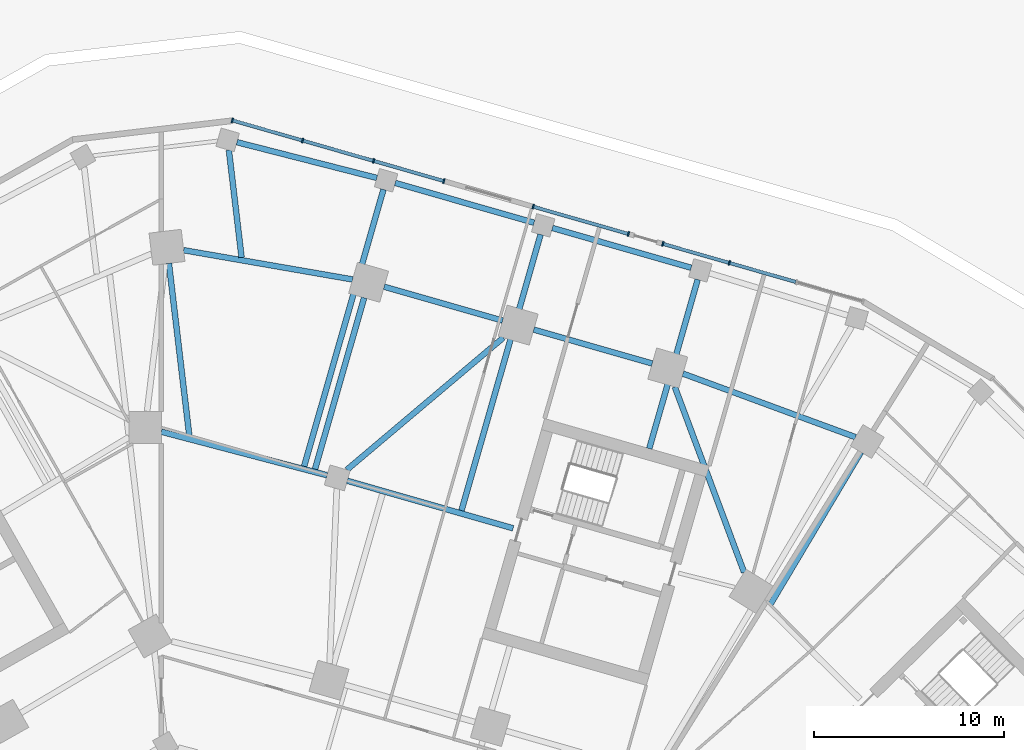
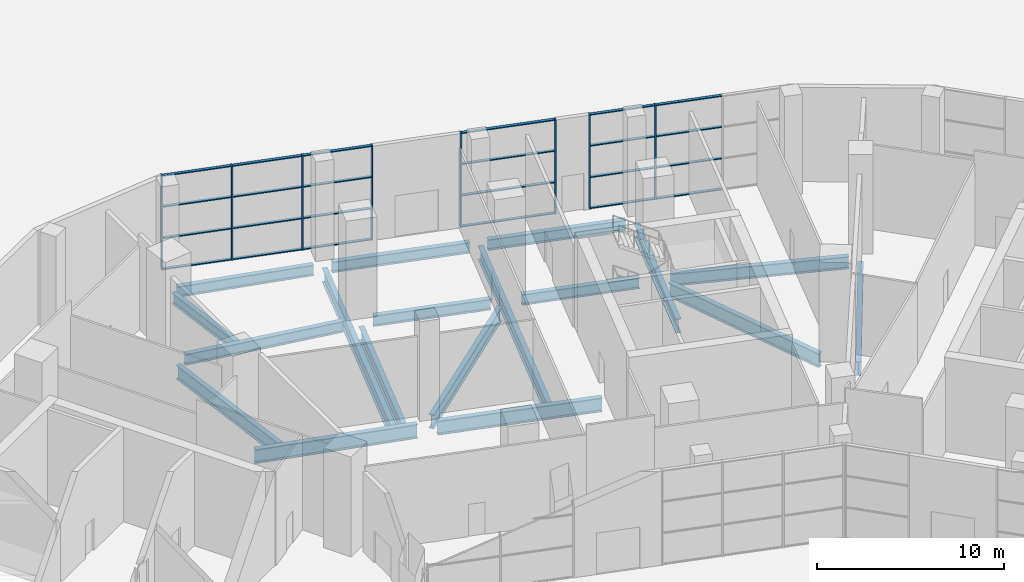
# One storey, part 8 of 22: 32 members, 18 beams, 3 elements without a shape of their own.
"""IFC4 building model written with IfcOpenShell, lengths in metres."""

from ifc_helpers import new_model, si_unit, direction, frame, origin, origin_2d, place, context, subcontext, project, spatial, rectangle, i_section, extrude, material, material_profile, profile_set, type_object, element, aggregate, save


model = new_model("IFC4")

# Units and contexts
model_context = context("Model", 3, precision=1e-05, world=origin(), true_north=direction((0.0, 1.0)))
body_context = subcontext(model_context, "Body", "Model", "MODEL_VIEW")
ifc_project = project(units=[si_unit("LENGTHUNIT", "METRE"), si_unit("AREAUNIT", "SQUARE_METRE"), si_unit("VOLUMEUNIT", "CUBIC_METRE"), si_unit("PLANEANGLEUNIT", "RADIAN"), si_unit("MASSUNIT", "GRAM", prefix="KILO")], contexts=[model_context])

# Site, building, storey
site_placement = place(None, origin())
site = spatial("IfcSite", under=ifc_project, at=site_placement, CompositionType="ELEMENT")
building_placement = place(site_placement, origin())
building = spatial("IfcBuilding", under=site, at=building_placement, Name="Binnacle Exchange Tower", CompositionType="ELEMENT")
storey_placement = place(building_placement, origin())
storey = spatial("IfcBuildingStorey", under=building, at=storey_placement, Name="L00", CompositionType="ELEMENT", Elevation=0.0)

# Curtain wall, members
ifc_material_1 = material(Name="Bronze anodised aluminium frame", Category="aluminium")
curtain_wall_type = type_object("IfcCurtainWallType", Name="External wall - curtain wall north entrance", PredefinedType="NOTDEFINED", material=ifc_material_1)
curtain_wall_1_placement = place(storey_placement, origin())
curtain_wall_1 = element("IfcCurtainWall", 1, at=curtain_wall_1_placement, inside=storey, type_object=curtain_wall_type, Name="External wall curtain wall CW2-P00-1 L00", PredefinedType="NOTDEFINED")
ifc_material_profile_1 = material_profile(ifc_material_1, rectangle(XDim=0.25, YDim=0.080078125, at=origin_2d()), Name="AL 80x250")
ifc_profile_set_1 = profile_set([ifc_material_profile_1], Name="Bronze anodised aluminium frame")
member_type_1 = type_object("IfcMemberType", Name="CW2 MULLION 80x250", PredefinedType="MULLION", material=ifc_profile_set_1)
member_1_placement = place(storey_placement, frame((29.837646484375, 68.645751953125, 0.0), z_axis=(0.0, 0.0, 1.0), x_axis=(-0.275636946471, -0.961261813316, 0.0)))
member_1 = element("IfcMember", 2, at=member_1_placement, type_object=member_type_1, Name="CW2-P00-1 mullion 3", PredefinedType="MULLION", context=body_context, shape_type="SweptSolid", body=[
    extrude(rectangle(XDim=0.25, YDim=0.080078125, at=origin_2d()), origin(), (0.0, 0.0, 1.0), 6.14990234375),
])
member_2_placement = place(storey_placement, frame((26.344970703125, 69.647216796875, 0.0), z_axis=(0.0, 0.0, 1.0), x_axis=(-0.275636946471, -0.961261813316, 0.0)))
member_2 = element("IfcMember", 3, at=member_2_placement, type_object=member_type_1, Name="CW2-P00-1 mullion 4", PredefinedType="MULLION", context=body_context, shape_type="SweptSolid", body=[
    extrude(rectangle(XDim=0.25, YDim=0.080078125, at=origin_2d()), origin(), (0.0, 0.0, 1.0), 6.14990234375),
])

curtain_wall_2_placement = place(storey_placement, origin())
curtain_wall_2 = element("IfcCurtainWall", 4, at=curtain_wall_2_placement, inside=storey, type_object=curtain_wall_type, Name="External wall curtain wall CW2-P00-2 L00", PredefinedType="NOTDEFINED")
member_3_placement = place(storey_placement, frame((24.537841796875, 70.165283203125, 0.0), z_axis=(0.0, 0.0, 1.0), x_axis=(-0.27563694637, -0.961261813345, 0.0)))
member_3 = element("IfcMember", 5, at=member_3_placement, type_object=member_type_1, Name="CW2-P00-2 mullion 1", PredefinedType="MULLION", context=body_context, shape_type="SweptSolid", body=[
    extrude(rectangle(XDim=0.25, YDim=0.080078125, at=origin_2d()), origin(), (0.0, 0.0, 1.0), 6.14990234375),
])
member_4_placement = place(storey_placement, frame((19.533203125, 71.600341796875, 0.0), z_axis=(0.0, 0.0, 1.0), x_axis=(-0.27563694637, -0.961261813345, 0.0)))
member_4 = element("IfcMember", 6, at=member_4_placement, type_object=member_type_1, Name="CW2-P00-2 mullion 2", PredefinedType="MULLION", context=body_context, shape_type="SweptSolid", body=[
    extrude(rectangle(XDim=0.25, YDim=0.080078125, at=origin_2d()), origin(), (0.0, 0.0, 1.0), 6.14990234375),
])

curtain_wall_3_placement = place(storey_placement, origin())
curtain_wall_3 = element("IfcCurtainWall", 7, at=curtain_wall_3_placement, inside=storey, type_object=curtain_wall_type, Name="External wall curtain wall CW2-P00-3 L00", PredefinedType="NOTDEFINED")
member_5_placement = place(storey_placement, frame((14.84228515625, 72.945556640625, 0.0), z_axis=(0.0, 0.0, 1.0), x_axis=(-0.275636946504, -0.961261813307, 0.0)))
member_5 = element("IfcMember", 8, at=member_5_placement, type_object=member_type_1, Name="CW2-P00-3 mullion 1", PredefinedType="MULLION", context=body_context, shape_type="SweptSolid", body=[
    extrude(rectangle(XDim=0.25, YDim=0.080078125, at=origin_2d()), origin(), (0.0, 0.0, 1.0), 6.14990234375),
])
member_6_placement = place(storey_placement, frame((11.150146484375, 74.004150390625, 0.0), z_axis=(0.0, 0.0, 1.0), x_axis=(-0.275636946504, -0.961261813307, 0.0)))
member_6 = element("IfcMember", 9, at=member_6_placement, type_object=member_type_1, Name="CW2-P00-3 mullion 2", PredefinedType="MULLION", context=body_context, shape_type="SweptSolid", body=[
    extrude(rectangle(XDim=0.25, YDim=0.080078125, at=origin_2d()), origin(), (0.0, 0.0, 1.0), 6.14990234375),
])
member_7_placement = place(storey_placement, frame((7.419677734375, 75.073974609375, 0.0), z_axis=(0.0, 0.0, 1.0), x_axis=(-0.275636946504, -0.961261813307, 0.0)))
member_7 = element("IfcMember", 10, at=member_7_placement, type_object=member_type_1, Name="CW2-P00-3 mullion 3", PredefinedType="MULLION", context=body_context, shape_type="SweptSolid", body=[
    extrude(rectangle(XDim=0.25, YDim=0.080078125, at=origin_2d()), origin(), (0.0, 0.0, 1.0), 6.14990234375),
])
member_8_placement = place(storey_placement, frame((3.727783203125, 76.132568359375, 0.0), z_axis=(0.0, 0.0, 1.0), x_axis=(-0.275636946504, -0.961261813307, 0.0)))
member_8 = element("IfcMember", 11, at=member_8_placement, type_object=member_type_1, Name="CW2-P00-3 mullion 4", PredefinedType="MULLION", context=body_context, shape_type="SweptSolid", body=[
    extrude(rectangle(XDim=0.25, YDim=0.080078125, at=origin_2d()), origin(), (0.0, 0.0, 1.0), 6.14990234375),
])

# Member
ifc_material_profile_2 = material_profile(ifc_material_1, rectangle(XDim=0.179931640625, YDim=0.06005859375, at=origin_2d()), Name="AL 180x60")
ifc_profile_set_2 = profile_set([ifc_material_profile_2], Name="Bronze anodised aluminium frame")
member_type_2 = type_object("IfcMemberType", Name="CW2 TRANSOM 60x180", PredefinedType="USERDEFINED", material=ifc_profile_set_2)
member_9_placement = place(storey_placement, frame((33.330322265625, 67.64404296875, 0.030029296875), z_axis=(-0.961241418173, 0.275708062973, 0.0), x_axis=(-0.275708062973, -0.961241418173, 0.0)))
member_9 = element("IfcMember", 12, at=member_9_placement, type_object=member_type_2, Name="CW2-P00-1 transom 2.1", ObjectType="TRANSOM", PredefinedType="USERDEFINED", context=body_context, shape_type="SweptSolid", body=[
    extrude(rectangle(XDim=0.179931640625, YDim=0.06005859375, at=origin_2d()), origin(), (0.0, 0.0, 1.0), 3.59326171875),
])

member_10_placement = place(storey_placement, frame((33.330322265625, 67.64404296875, 2.050048828125), z_axis=(-0.961241418173, 0.275708062973, 0.0), x_axis=(-0.275708062973, -0.961241418173, 0.0)))
member_10 = element("IfcMember", 13, at=member_10_placement, type_object=member_type_2, Name="CW2-P00-1 transom 2.2", ObjectType="TRANSOM", PredefinedType="USERDEFINED", context=body_context, shape_type="SweptSolid", body=[
    extrude(rectangle(XDim=0.179931640625, YDim=0.06005859375, at=origin_2d()), origin(), (0.0, 0.0, 1.0), 3.59326171875),
])

member_11_placement = place(storey_placement, frame((33.330322265625, 67.64404296875, 4.10009765625), z_axis=(-0.961241418173, 0.275708062973, 0.0), x_axis=(-0.275708062973, -0.961241418173, 0.0)))
member_11 = element("IfcMember", 14, at=member_11_placement, type_object=member_type_2, Name="CW2-P00-1 transom 2.3", ObjectType="TRANSOM", PredefinedType="USERDEFINED", context=body_context, shape_type="SweptSolid", body=[
    extrude(rectangle(XDim=0.179931640625, YDim=0.06005859375, at=origin_2d()), origin(), (0.0, 0.0, 1.0), 3.59326171875),
])

member_12_placement = place(storey_placement, frame((33.330322265625, 67.64404296875, 6.1201171875), z_axis=(-0.961241418173, 0.275708062973, 0.0), x_axis=(-0.275708062973, -0.961241418173, 0.0)))
member_12 = element("IfcMember", 15, at=member_12_placement, type_object=member_type_2, Name="CW2-P00-1 transom 2.4", ObjectType="TRANSOM", PredefinedType="USERDEFINED", context=body_context, shape_type="SweptSolid", body=[
    extrude(rectangle(XDim=0.179931640625, YDim=0.06005859375, at=origin_2d()), origin(), (0.0, 0.0, 1.0), 3.59326171875),
])

member_13_placement = place(storey_placement, frame((29.79931640625, 68.65673828125, 0.030029296875), z_axis=(-0.961264270482, 0.275628377157, 0.0), x_axis=(-0.275628377157, -0.961264270482, 0.0)))
member_13 = element("IfcMember", 16, at=member_13_placement, type_object=member_type_2, Name="CW2-P00-1 transom 3.1", ObjectType="TRANSOM", PredefinedType="USERDEFINED", context=body_context, shape_type="SweptSolid", body=[
    extrude(rectangle(XDim=0.179931640625, YDim=0.06005859375, at=origin_2d()), origin(), (0.0, 0.0, 1.0), 3.5537109375),
])

member_14_placement = place(storey_placement, frame((29.79931640625, 68.65673828125, 2.050048828125), z_axis=(-0.961264270482, 0.275628377157, 0.0), x_axis=(-0.275628377157, -0.961264270482, 0.0)))
member_14 = element("IfcMember", 17, at=member_14_placement, type_object=member_type_2, Name="CW2-P00-1 transom 3.2", ObjectType="TRANSOM", PredefinedType="USERDEFINED", context=body_context, shape_type="SweptSolid", body=[
    extrude(rectangle(XDim=0.179931640625, YDim=0.06005859375, at=origin_2d()), origin(), (0.0, 0.0, 1.0), 3.5537109375),
])

member_15_placement = place(storey_placement, frame((29.79931640625, 68.65673828125, 4.10009765625), z_axis=(-0.961264270482, 0.275628377157, 0.0), x_axis=(-0.275628377157, -0.961264270482, 0.0)))
member_15 = element("IfcMember", 18, at=member_15_placement, type_object=member_type_2, Name="CW2-P00-1 transom 3.3", ObjectType="TRANSOM", PredefinedType="USERDEFINED", context=body_context, shape_type="SweptSolid", body=[
    extrude(rectangle(XDim=0.179931640625, YDim=0.06005859375, at=origin_2d()), origin(), (0.0, 0.0, 1.0), 3.5537109375),
])

member_16_placement = place(storey_placement, frame((29.79931640625, 68.65673828125, 6.1201171875), z_axis=(-0.961264270482, 0.275628377157, 0.0), x_axis=(-0.275628377157, -0.961264270482, 0.0)))
member_16 = element("IfcMember", 19, at=member_16_placement, type_object=member_type_2, Name="CW2-P00-1 transom 3.4", ObjectType="TRANSOM", PredefinedType="USERDEFINED", context=body_context, shape_type="SweptSolid", body=[
    extrude(rectangle(XDim=0.179931640625, YDim=0.06005859375, at=origin_2d()), origin(), (0.0, 0.0, 1.0), 3.5537109375),
])

aggregate(curtain_wall_1, [member_1, member_2, member_9, member_10, member_11, member_12, member_13, member_14, member_15, member_16])

member_17_placement = place(storey_placement, frame((24.499267578125, 70.176513671875, 0.030029296875), z_axis=(-0.961266517916, 0.275620539027, 0.0), x_axis=(-0.275620539027, -0.961266517916, 0.0)))
member_17 = element("IfcMember", 20, at=member_17_placement, type_object=member_type_2, Name="CW2-P00-2 transom 1.1", ObjectType="TRANSOM", PredefinedType="USERDEFINED", context=body_context, shape_type="SweptSolid", body=[
    extrude(rectangle(XDim=0.179931640625, YDim=0.06005859375, at=origin_2d()), origin(), (0.0, 0.0, 1.0), 5.1259765625),
])

member_18_placement = place(storey_placement, frame((24.499267578125, 70.176513671875, 2.050048828125), z_axis=(-0.961266517916, 0.275620539027, 0.0), x_axis=(-0.275620539027, -0.961266517916, 0.0)))
member_18 = element("IfcMember", 21, at=member_18_placement, type_object=member_type_2, Name="CW2-P00-2 transom 1.2", ObjectType="TRANSOM", PredefinedType="USERDEFINED", context=body_context, shape_type="SweptSolid", body=[
    extrude(rectangle(XDim=0.179931640625, YDim=0.06005859375, at=origin_2d()), origin(), (0.0, 0.0, 1.0), 5.1259765625),
])

member_19_placement = place(storey_placement, frame((24.499267578125, 70.176513671875, 4.10009765625), z_axis=(-0.961266517916, 0.275620539027, 0.0), x_axis=(-0.275620539027, -0.961266517916, 0.0)))
member_19 = element("IfcMember", 22, at=member_19_placement, type_object=member_type_2, Name="CW2-P00-2 transom 1.3", ObjectType="TRANSOM", PredefinedType="USERDEFINED", context=body_context, shape_type="SweptSolid", body=[
    extrude(rectangle(XDim=0.179931640625, YDim=0.06005859375, at=origin_2d()), origin(), (0.0, 0.0, 1.0), 5.1259765625),
])

member_20_placement = place(storey_placement, frame((24.499267578125, 70.176513671875, 6.1201171875), z_axis=(-0.961266517916, 0.275620539027, 0.0), x_axis=(-0.275620539027, -0.961266517916, 0.0)))
member_20 = element("IfcMember", 23, at=member_20_placement, type_object=member_type_2, Name="CW2-P00-2 transom 1.4", ObjectType="TRANSOM", PredefinedType="USERDEFINED", context=body_context, shape_type="SweptSolid", body=[
    extrude(rectangle(XDim=0.179931640625, YDim=0.06005859375, at=origin_2d()), origin(), (0.0, 0.0, 1.0), 5.1259765625),
])

aggregate(curtain_wall_2, [member_3, member_4, member_17, member_18, member_19, member_20])

member_21_placement = place(storey_placement, frame((14.8037109375, 72.95654296875, 0.030029296875), z_axis=(-0.961258925276, 0.275647018081, 0.0), x_axis=(-0.275647018081, -0.961258925276, 0.0)))
member_21 = element("IfcMember", 24, at=member_21_placement, type_object=member_type_2, Name="CW2-P00-3 transom 1.1", ObjectType="TRANSOM", PredefinedType="USERDEFINED", context=body_context, shape_type="SweptSolid", body=[
    extrude(rectangle(XDim=0.179931640625, YDim=0.06005859375, at=origin_2d()), origin(), (0.0, 0.0, 1.0), 3.7607421875),
])

member_22_placement = place(storey_placement, frame((14.8037109375, 72.95654296875, 2.050048828125), z_axis=(-0.961258925276, 0.275647018081, 0.0), x_axis=(-0.275647018081, -0.961258925276, 0.0)))
member_22 = element("IfcMember", 25, at=member_22_placement, type_object=member_type_2, Name="CW2-P00-3 transom 1.2", ObjectType="TRANSOM", PredefinedType="USERDEFINED", context=body_context, shape_type="SweptSolid", body=[
    extrude(rectangle(XDim=0.179931640625, YDim=0.06005859375, at=origin_2d()), origin(), (0.0, 0.0, 1.0), 3.7607421875),
])

member_23_placement = place(storey_placement, frame((14.8037109375, 72.95654296875, 4.10009765625), z_axis=(-0.961258925276, 0.275647018081, 0.0), x_axis=(-0.275647018081, -0.961258925276, 0.0)))
member_23 = element("IfcMember", 26, at=member_23_placement, type_object=member_type_2, Name="CW2-P00-3 transom 1.3", ObjectType="TRANSOM", PredefinedType="USERDEFINED", context=body_context, shape_type="SweptSolid", body=[
    extrude(rectangle(XDim=0.179931640625, YDim=0.06005859375, at=origin_2d()), origin(), (0.0, 0.0, 1.0), 3.7607421875),
])

member_24_placement = place(storey_placement, frame((14.8037109375, 72.95654296875, 6.1201171875), z_axis=(-0.961258925276, 0.275647018081, 0.0), x_axis=(-0.275647018081, -0.961258925276, 0.0)))
member_24 = element("IfcMember", 27, at=member_24_placement, type_object=member_type_2, Name="CW2-P00-3 transom 1.4", ObjectType="TRANSOM", PredefinedType="USERDEFINED", context=body_context, shape_type="SweptSolid", body=[
    extrude(rectangle(XDim=0.179931640625, YDim=0.06005859375, at=origin_2d()), origin(), (0.0, 0.0, 1.0), 3.7607421875),
])

member_25_placement = place(storey_placement, frame((11.11181640625, 74.01513671875, 0.030029296875), z_axis=(-0.96126415858, 0.275628767422, 0.0), x_axis=(-0.275628767422, -0.96126415858, 0.0)))
member_25 = element("IfcMember", 28, at=member_25_placement, type_object=member_type_2, Name="CW2-P00-3 transom 2.1", ObjectType="TRANSOM", PredefinedType="USERDEFINED", context=body_context, shape_type="SweptSolid", body=[
    extrude(rectangle(XDim=0.179931640625, YDim=0.06005859375, at=origin_2d()), origin(), (0.0, 0.0, 1.0), 3.80078125),
])

member_26_placement = place(storey_placement, frame((11.11181640625, 74.01513671875, 2.050048828125), z_axis=(-0.96126415858, 0.275628767422, 0.0), x_axis=(-0.275628767422, -0.96126415858, 0.0)))
member_26 = element("IfcMember", 29, at=member_26_placement, type_object=member_type_2, Name="CW2-P00-3 transom 2.2", ObjectType="TRANSOM", PredefinedType="USERDEFINED", context=body_context, shape_type="SweptSolid", body=[
    extrude(rectangle(XDim=0.179931640625, YDim=0.06005859375, at=origin_2d()), origin(), (0.0, 0.0, 1.0), 3.80078125),
])

member_27_placement = place(storey_placement, frame((11.11181640625, 74.01513671875, 4.10009765625), z_axis=(-0.96126415858, 0.275628767422, 0.0), x_axis=(-0.275628767422, -0.96126415858, 0.0)))
member_27 = element("IfcMember", 30, at=member_27_placement, type_object=member_type_2, Name="CW2-P00-3 transom 2.3", ObjectType="TRANSOM", PredefinedType="USERDEFINED", context=body_context, shape_type="SweptSolid", body=[
    extrude(rectangle(XDim=0.179931640625, YDim=0.06005859375, at=origin_2d()), origin(), (0.0, 0.0, 1.0), 3.80078125),
])

member_28_placement = place(storey_placement, frame((11.11181640625, 74.01513671875, 6.1201171875), z_axis=(-0.96126415858, 0.275628767422, 0.0), x_axis=(-0.275628767422, -0.96126415858, 0.0)))
member_28 = element("IfcMember", 31, at=member_28_placement, type_object=member_type_2, Name="CW2-P00-3 transom 2.4", ObjectType="TRANSOM", PredefinedType="USERDEFINED", context=body_context, shape_type="SweptSolid", body=[
    extrude(rectangle(XDim=0.179931640625, YDim=0.06005859375, at=origin_2d()), origin(), (0.0, 0.0, 1.0), 3.80078125),
])

member_29_placement = place(storey_placement, frame((7.38134765625, 75.0849609375, 0.030029296875), z_axis=(-0.961258925276, 0.275647018081, 0.0), x_axis=(-0.275647018081, -0.961258925276, 0.0)))
member_29 = element("IfcMember", 32, at=member_29_placement, type_object=member_type_2, Name="CW2-P00-3 transom 3.1", ObjectType="TRANSOM", PredefinedType="USERDEFINED", context=body_context, shape_type="SweptSolid", body=[
    extrude(rectangle(XDim=0.179931640625, YDim=0.06005859375, at=origin_2d()), origin(), (0.0, 0.0, 1.0), 3.7607421875),
])

member_30_placement = place(storey_placement, frame((7.38134765625, 75.0849609375, 2.050048828125), z_axis=(-0.961258925276, 0.275647018081, 0.0), x_axis=(-0.275647018081, -0.961258925276, 0.0)))
member_30 = element("IfcMember", 33, at=member_30_placement, type_object=member_type_2, Name="CW2-P00-3 transom 3.2", ObjectType="TRANSOM", PredefinedType="USERDEFINED", context=body_context, shape_type="SweptSolid", body=[
    extrude(rectangle(XDim=0.179931640625, YDim=0.06005859375, at=origin_2d()), origin(), (0.0, 0.0, 1.0), 3.7607421875),
])

member_31_placement = place(storey_placement, frame((7.38134765625, 75.0849609375, 4.10009765625), z_axis=(-0.961258925276, 0.275647018081, 0.0), x_axis=(-0.275647018081, -0.961258925276, 0.0)))
member_31 = element("IfcMember", 34, at=member_31_placement, type_object=member_type_2, Name="CW2-P00-3 transom 3.3", ObjectType="TRANSOM", PredefinedType="USERDEFINED", context=body_context, shape_type="SweptSolid", body=[
    extrude(rectangle(XDim=0.179931640625, YDim=0.06005859375, at=origin_2d()), origin(), (0.0, 0.0, 1.0), 3.7607421875),
])

member_32_placement = place(storey_placement, frame((7.38134765625, 75.0849609375, 6.1201171875), z_axis=(-0.961258925276, 0.275647018081, 0.0), x_axis=(-0.275647018081, -0.961258925276, 0.0)))
member_32 = element("IfcMember", 35, at=member_32_placement, type_object=member_type_2, Name="CW2-P00-3 transom 3.4", ObjectType="TRANSOM", PredefinedType="USERDEFINED", context=body_context, shape_type="SweptSolid", body=[
    extrude(rectangle(XDim=0.179931640625, YDim=0.06005859375, at=origin_2d()), origin(), (0.0, 0.0, 1.0), 3.7607421875),
])

aggregate(curtain_wall_3, [member_5, member_6, member_7, member_8, member_21, member_22, member_23, member_24, member_25, member_26, member_27, member_28, member_29, member_30, member_31, member_32])

# Beams
ifc_material_2 = material(Name="Steel S355 (SHN355)", Category="steel")
ifc_material_profile_3 = material_profile(ifc_material_2, i_section(OverallWidth=0.300048828125, OverallDepth=0.699951171875, WebThickness=0.012939453125, FlangeThickness=0.02392578125, FilletRadius=0.028076171875, at=origin_2d()), Name="H 700x300x13x24")
ifc_profile_set_3 = profile_set([ifc_material_profile_3], Name="Steel S355 (SHN355)")
beam_type_1 = type_object("IfcBeamType", Name="Edge girder H 700x300x13x24 Steel S355 (SHN355)", PredefinedType="SPANDREL", material=ifc_profile_set_3)
beam_1_placement = place(storey_placement, frame((3.970703125, 74.985595703125, -0.800048828125), z_axis=(0.96888078872, -0.247527811062, 0.0), x_axis=(0.247527811062, 0.96888078872, 0.0)))
element("IfcBeam", 36, at=beam_1_placement, inside=storey, type_object=beam_type_1, Name="S:BM:edge:L00:046", PredefinedType="SPANDREL", context=body_context, shape_type="SweptSolid", body=[
    extrude(i_section(OverallWidth=0.300048828125, OverallDepth=0.699951171875, WebThickness=0.012939453125, FlangeThickness=0.02392578125, FilletRadius=0.028076171875, at=origin_2d()), origin(), (0.0, 0.0, 1.0), 7.589599609375),
])
beam_2_placement = place(storey_placement, frame((12.289306640625, 72.84521484375, -0.800048828125), z_axis=(0.961270944274, -0.275605100996, 0.0), x_axis=(0.275605100996, 0.961270944274, 0.0)))
element("IfcBeam", 37, at=beam_2_placement, inside=storey, type_object=beam_type_1, Name="S:BM:edge:L00:050", PredefinedType="SPANDREL", context=body_context, shape_type="SweptSolid", body=[
    extrude(i_section(OverallWidth=0.300048828125, OverallDepth=0.699951171875, WebThickness=0.012939453125, FlangeThickness=0.02392578125, FilletRadius=0.028076171875, at=origin_2d()), origin(), (0.0, 0.0, 1.0), 7.586181640625),
])
beam_3_placement = place(storey_placement, frame((17.92919921875, 65.610595703125, -0.800048828125), z_axis=(-0.961261624999, 0.275637603213, 0.0), x_axis=(-0.275637603213, -0.961261624999, 0.0)))
element("IfcBeam", 38, at=beam_3_placement, inside=storey, type_object=beam_type_1, Name="S:BM:edge:L00:052", PredefinedType="SPANDREL", context=body_context, shape_type="SweptSolid", body=[
    extrude(i_section(OverallWidth=0.300048828125, OverallDepth=0.699951171875, WebThickness=0.012939453125, FlangeThickness=0.02392578125, FilletRadius=0.028076171875, at=origin_2d()), origin(), (0.0, 0.0, 1.0), 6.472900390625),
])
beam_4_placement = place(storey_placement, frame((20.54296875, 70.478759765625, -0.800048828125), z_axis=(0.961262417922, -0.275634837948, 0.0), x_axis=(0.275634837948, 0.961262417922, 0.0)))
element("IfcBeam", 39, at=beam_4_placement, inside=storey, type_object=beam_type_1, Name="S:BM:edge:L00:054", PredefinedType="SPANDREL", context=body_context, shape_type="SweptSolid", body=[
    extrude(i_section(OverallWidth=0.300048828125, OverallDepth=0.699951171875, WebThickness=0.012939453125, FlangeThickness=0.02392578125, FilletRadius=0.028076171875, at=origin_2d()), origin(), (0.0, 0.0, 1.0), 7.58642578125),
])
beam_5_placement = place(storey_placement, frame((25.78564453125, 63.35791015625, -0.800048828125), z_axis=(-0.961271618025, 0.275602751036, 0.0), x_axis=(-0.275602751036, -0.961271618025, 0.0)))
element("IfcBeam", 40, at=beam_5_placement, inside=storey, type_object=beam_type_1, Name="S:BM:edge:L00:056", PredefinedType="SPANDREL", context=body_context, shape_type="SweptSolid", body=[
    extrude(i_section(OverallWidth=0.300048828125, OverallDepth=0.699951171875, WebThickness=0.012939453125, FlangeThickness=0.02392578125, FilletRadius=0.028076171875, at=origin_2d()), origin(), (0.0, 0.0, 1.0), 6.472900390625),
])
ifc_material_profile_4 = material_profile(ifc_material_2, i_section(OverallWidth=0.302001953125, OverallDepth=0.7080078125, WebThickness=0.014892578125, FlangeThickness=0.028076171875, FilletRadius=0.028076171875, at=origin_2d()), Name="H 708x302x15x28")
ifc_profile_set_4 = profile_set([ifc_material_profile_4], Name="Steel S355 (SHN355)")
beam_type_2 = type_object("IfcBeamType", Name="Edge girder H 708x302x15x28 Steel S355 (SHN355)", PredefinedType="SPANDREL", material=ifc_profile_set_4)
beam_6_placement = place(storey_placement, frame((10.047607421875, 67.77490234375, -0.803955078125), z_axis=(-0.985312460293, 0.17076110679, 0.0), x_axis=(-0.17076110679, -0.985312460293, 0.0)))
element("IfcBeam", 41, at=beam_6_placement, inside=storey, type_object=beam_type_2, Name="S:BM:edge:L00:049", PredefinedType="SPANDREL", context=body_context, shape_type="SweptSolid", body=[
    extrude(i_section(OverallWidth=0.302001953125, OverallDepth=0.7080078125, WebThickness=0.014892578125, FlangeThickness=0.028076171875, FilletRadius=0.028076171875, at=origin_2d()), origin(), (0.0, 0.0, 1.0), 9.005859375),
])
ifc_material_profile_5 = material_profile(ifc_material_2, i_section(OverallWidth=0.300048828125, OverallDepth=0.800048828125, WebThickness=0.013916015625, FlangeThickness=0.02587890625, FilletRadius=0.028076171875, at=origin_2d()), Name="H 800x300x14x26")
ifc_profile_set_5 = profile_set([ifc_material_profile_5], Name="Steel S355 (SHN355)")
beam_type_3 = type_object("IfcBeamType", Name="Edge girder H 800x300x14x26 Steel S355 (SHN355)", PredefinedType="SPANDREL", material=ifc_profile_set_5)
beam_7_placement = place(storey_placement, frame((36.464599609375, 59.490966796875, -0.85009765625), z_axis=(-0.938368148393, 0.345637408395, 0.0), x_axis=(-0.345637408395, -0.938368148393, 0.0)))
element("IfcBeam", 42, at=beam_7_placement, inside=storey, type_object=beam_type_3, Name="S:BM:edge:L00:061", PredefinedType="SPANDREL", context=body_context, shape_type="SweptSolid", body=[
    extrude(i_section(OverallWidth=0.300048828125, OverallDepth=0.800048828125, WebThickness=0.013916015625, FlangeThickness=0.02587890625, FilletRadius=0.028076171875, at=origin_2d()), origin(), (0.0, 0.0, 1.0), 9.6572265625),
])
ifc_material_profile_6 = material_profile(ifc_material_2, i_section(OverallWidth=0.300048828125, OverallDepth=0.699951171875, WebThickness=0.012939453125, FlangeThickness=0.02392578125, FilletRadius=0.028076171875, at=origin_2d()), Name="H 700x300x13x24")
ifc_profile_set_6 = profile_set([ifc_material_profile_6], Name="Steel S355 (SHN355)")
beam_type_4 = type_object("IfcBeamType", Name="Floor beam H 700x300x13x24 Steel S355 (SHN355)", PredefinedType="BEAM", material=ifc_profile_set_6)
beam_8_placement = place(storey_placement, frame((3.5498046875, 74.571044921875, -0.800048828125), z_axis=(0.117529616855, -0.993069377819, 0.0), x_axis=(0.993069377819, 0.117529616855, 0.0)))
element("IfcBeam", 43, at=beam_8_placement, inside=storey, type_object=beam_type_4, Name="S:BM:cross:L00:104", PredefinedType="BEAM", context=body_context, shape_type="SweptSolid", body=[
    extrude(i_section(OverallWidth=0.300048828125, OverallDepth=0.699951171875, WebThickness=0.012939453125, FlangeThickness=0.02392578125, FilletRadius=0.028076171875, at=origin_2d()), origin(), (0.0, 0.0, 1.0), 5.67919921875),
])
ifc_material_profile_7 = material_profile(ifc_material_2, i_section(OverallWidth=0.302001953125, OverallDepth=0.912109375, WebThickness=0.01806640625, FlangeThickness=0.033935546875, FilletRadius=0.028076171875, at=origin_2d()), Name="H 912x302x18x34")
ifc_profile_set_7 = profile_set([ifc_material_profile_7], Name="Steel S355 (SHN355)")
beam_type_5 = type_object("IfcBeamType", Name="Floor beam H 912x302x18x34 Steel S355 (SHN355)", PredefinedType="BEAM", material=ifc_profile_set_7)
beam_9_placement = place(storey_placement, frame((0.39990234375, 68.6201171875, -0.906005859375), z_axis=(0.117562643201, -0.993065468599, 0.0), x_axis=(0.993065468599, 0.117562643201, 0.0)))
element("IfcBeam", 44, at=beam_9_placement, inside=storey, type_object=beam_type_5, Name="S:BM:cross:L00:103", PredefinedType="BEAM", context=body_context, shape_type="SweptSolid", body=[
    extrude(i_section(OverallWidth=0.302001953125, OverallDepth=0.912109375, WebThickness=0.01806640625, FlangeThickness=0.033935546875, FilletRadius=0.028076171875, at=origin_2d()), origin(), (0.0, 0.0, 1.0), 9.14990234375),
])
beam_10_placement = place(storey_placement, frame((10.65576171875, 66.81201171875, -0.906005859375), z_axis=(-0.275626703457, -0.961264750389, 0.0), x_axis=(0.961264750389, -0.275626703457, 0.0)))
element("IfcBeam", 45, at=beam_10_placement, inside=storey, type_object=beam_type_5, Name="S:BM:cross:L00:107", PredefinedType="BEAM", context=body_context, shape_type="SweptSolid", body=[
    extrude(i_section(OverallWidth=0.302001953125, OverallDepth=0.912109375, WebThickness=0.01806640625, FlangeThickness=0.033935546875, FilletRadius=0.028076171875, at=origin_2d()), origin(), (0.0, 0.0, 1.0), 9.363525390625),
])
beam_11_placement = place(storey_placement, frame((28.17822265625, 67.769287109375, -0.906005859375), z_axis=(-0.275646254267, -0.961259144304, 0.0), x_axis=(0.961259144304, -0.275646254267, 0.0)))
element("IfcBeam", 46, at=beam_11_placement, inside=storey, type_object=beam_type_5, Name="S:BM:cross:L00:112", PredefinedType="BEAM", context=body_context, shape_type="SweptSolid", body=[
    extrude(i_section(OverallWidth=0.302001953125, OverallDepth=0.912109375, WebThickness=0.01806640625, FlangeThickness=0.033935546875, FilletRadius=0.028076171875, at=origin_2d()), origin(), (0.0, 0.0, 1.0), 9.235107421875),
])
beam_12_placement = place(storey_placement, frame((36.752685546875, 58.703857421875, -0.906005859375), z_axis=(-0.511298188751, -0.859403375709, 0.0), x_axis=(0.859403375709, -0.511298188751, 0.0)))
element("IfcBeam", 47, at=beam_12_placement, inside=storey, type_object=beam_type_5, Name="S:BM:cross:L00:116", PredefinedType="BEAM", context=body_context, shape_type="SweptSolid", body=[
    extrude(i_section(OverallWidth=0.302001953125, OverallDepth=0.912109375, WebThickness=0.01806640625, FlangeThickness=0.033935546875, FilletRadius=0.028076171875, at=origin_2d()), origin(), (0.0, 0.0, 1.0), 9.385986328125),
])
ifc_material_profile_8 = material_profile(ifc_material_2, i_section(OverallWidth=0.302978515625, OverallDepth=0.91796875, WebThickness=0.01904296875, FlangeThickness=0.037109375, FilletRadius=0.028076171875, at=origin_2d()), Name="H 918x303x19x37")
ifc_profile_set_8 = profile_set([ifc_material_profile_8], Name="Steel S355 (SHN355)")
beam_type_6 = type_object("IfcBeamType", Name="Floor beam H 918x303x19x37 Steel S355 (SHN355)", PredefinedType="BEAM", material=ifc_profile_set_8)
beam_13_placement = place(storey_placement, frame((11.6708984375, 72.50244140625, -0.908935546875), z_axis=(-0.275622715185, -0.961265893951, 0.0), x_axis=(0.961265893951, -0.275622715185, 0.0)))
element("IfcBeam", 48, at=beam_13_placement, inside=storey, type_object=beam_type_6, Name="S:BM:cross:L00:108", PredefinedType="BEAM", context=body_context, shape_type="SweptSolid", body=[
    extrude(i_section(OverallWidth=0.302978515625, OverallDepth=0.91796875, WebThickness=0.01904296875, FlangeThickness=0.037109375, FilletRadius=0.028076171875, at=origin_2d()), origin(), (0.0, 0.0, 1.0), 15.12646484375),
])
beam_14_placement = place(storey_placement, frame((19.924560546875, 70.135986328125, -0.908935546875), z_axis=(-0.275629445944, -0.961263964023, 0.0), x_axis=(0.961263964023, -0.275629445944, 0.0)))
element("IfcBeam", 49, at=beam_14_placement, inside=storey, type_object=beam_type_6, Name="S:BM:cross:L00:110", PredefinedType="BEAM", context=body_context, shape_type="SweptSolid", body=[
    extrude(i_section(OverallWidth=0.302978515625, OverallDepth=0.91796875, WebThickness=0.01904296875, FlangeThickness=0.037109375, FilletRadius=0.028076171875, at=origin_2d()), origin(), (0.0, 0.0, 1.0), 15.085205078125),
])
ifc_material_profile_9 = material_profile(ifc_material_2, i_section(OverallWidth=0.302001953125, OverallDepth=0.912109375, WebThickness=0.01806640625, FlangeThickness=0.033935546875, FilletRadius=0.028076171875, at=origin_2d()), Name="H 912x302x18x34")
ifc_profile_set_9 = profile_set([ifc_material_profile_9], Name="Steel S355 (SHN355)")
beam_type_7 = type_object("IfcBeamType", Name="Spine girder H 912x302x18x34 Steel S355 (SHN355)", PredefinedType="BEAM", material=ifc_profile_set_9)
beam_15_placement = place(storey_placement, frame((9.74658203125, 57.77734375, -0.906005859375), z_axis=(0.764072930463, 0.64512987602, 0.0), x_axis=(-0.64512987602, 0.764072930463, 0.0)))
element("IfcBeam", 50, at=beam_15_placement, inside=storey, type_object=beam_type_7, Name="S:BM:spine:L00:008", PredefinedType="BEAM", context=body_context, shape_type="SweptSolid", body=[
    extrude(i_section(OverallWidth=0.302001953125, OverallDepth=0.912109375, WebThickness=0.01806640625, FlangeThickness=0.033935546875, FilletRadius=0.028076171875, at=origin_2d()), origin(), (0.0, 0.0, 1.0), 10.755615234375),
])
beam_16_placement = place(storey_placement, frame((30.614501953125, 52.389892578125, -0.906005859375), z_axis=(-0.350104624168, 0.936710602126, 0.0), x_axis=(-0.936710602126, -0.350104624168, 0.0)))
element("IfcBeam", 51, at=beam_16_placement, inside=storey, type_object=beam_type_7, Name="S:BM:spine:L00:011", PredefinedType="BEAM", context=body_context, shape_type="SweptSolid", body=[
    extrude(i_section(OverallWidth=0.302001953125, OverallDepth=0.912109375, WebThickness=0.01806640625, FlangeThickness=0.033935546875, FilletRadius=0.028076171875, at=origin_2d()), origin(), (0.0, 0.0, 1.0), 10.4013671875),
])
ifc_material_profile_10 = material_profile(ifc_material_2, i_section(OverallWidth=0.302978515625, OverallDepth=0.91796875, WebThickness=0.01904296875, FlangeThickness=0.037109375, FilletRadius=0.028076171875, at=origin_2d()), Name="H 918x303x19x37")
ifc_profile_set_10 = profile_set([ifc_material_profile_10], Name="Steel S355 (SHN355)")
beam_type_8 = type_object("IfcBeamType", Name="Spine girder H 918x303x19x37 Steel S355 (SHN355)", PredefinedType="BEAM", material=ifc_profile_set_10)
beam_17_placement = place(storey_placement, frame((0.0, 59.77685546875, -0.908935546875), z_axis=(0.967208571477, -0.253983423202, 0.0), x_axis=(0.253983423202, 0.967208571477, 0.0)))
element("IfcBeam", 52, at=beam_17_placement, inside=storey, type_object=beam_type_8, Name="S:BM:spine:L00:006", PredefinedType="BEAM", context=body_context, shape_type="SweptSolid", body=[
    extrude(i_section(OverallWidth=0.302978515625, OverallDepth=0.91796875, WebThickness=0.01904296875, FlangeThickness=0.037109375, FilletRadius=0.028076171875, at=origin_2d()), origin(), (0.0, 0.0, 1.0), 9.00390625),
])
beam_18_placement = place(storey_placement, frame((9.76953125, 57.198486328125, -0.908935546875), z_axis=(0.961265329417, -0.275624684057, 0.0), x_axis=(0.275624684057, 0.961265329417, 0.0)))
element("IfcBeam", 53, at=beam_18_placement, inside=storey, type_object=beam_type_8, Name="S:BM:spine:L00:009", PredefinedType="BEAM", context=body_context, shape_type="SweptSolid", body=[
    extrude(i_section(OverallWidth=0.302978515625, OverallDepth=0.91796875, WebThickness=0.01904296875, FlangeThickness=0.037109375, FilletRadius=0.028076171875, at=origin_2d()), origin(), (0.0, 0.0, 1.0), 9.063232421875),
])

save(model, "model.ifc")
